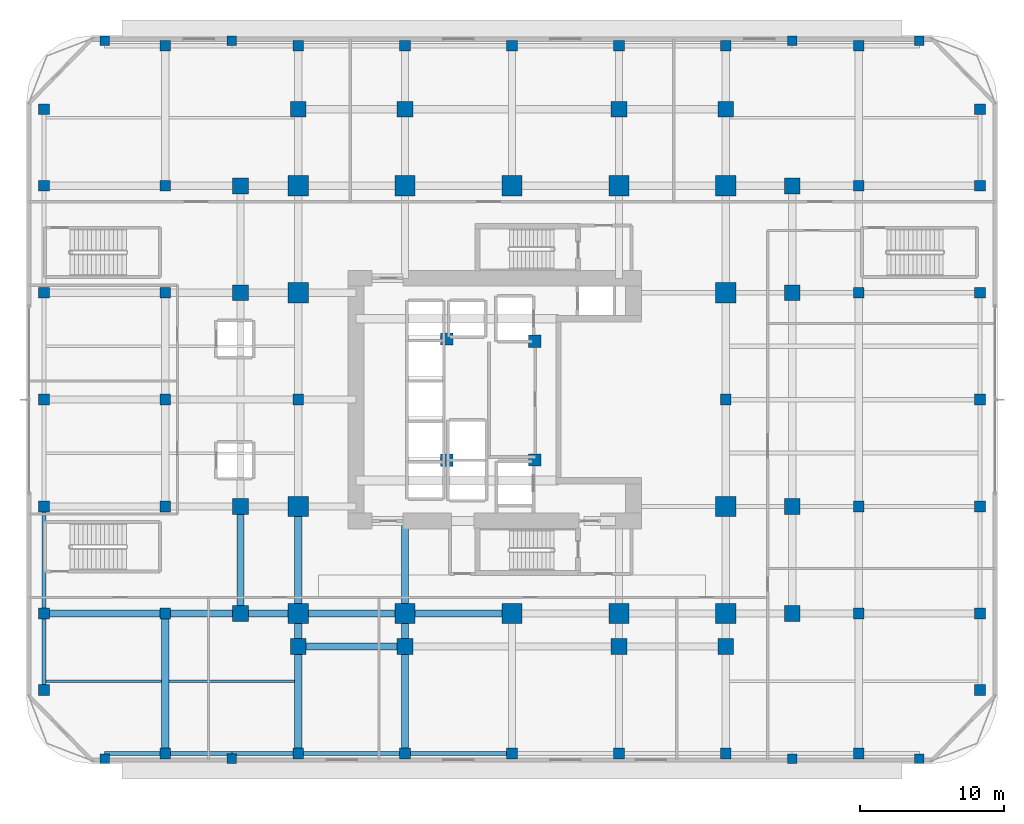
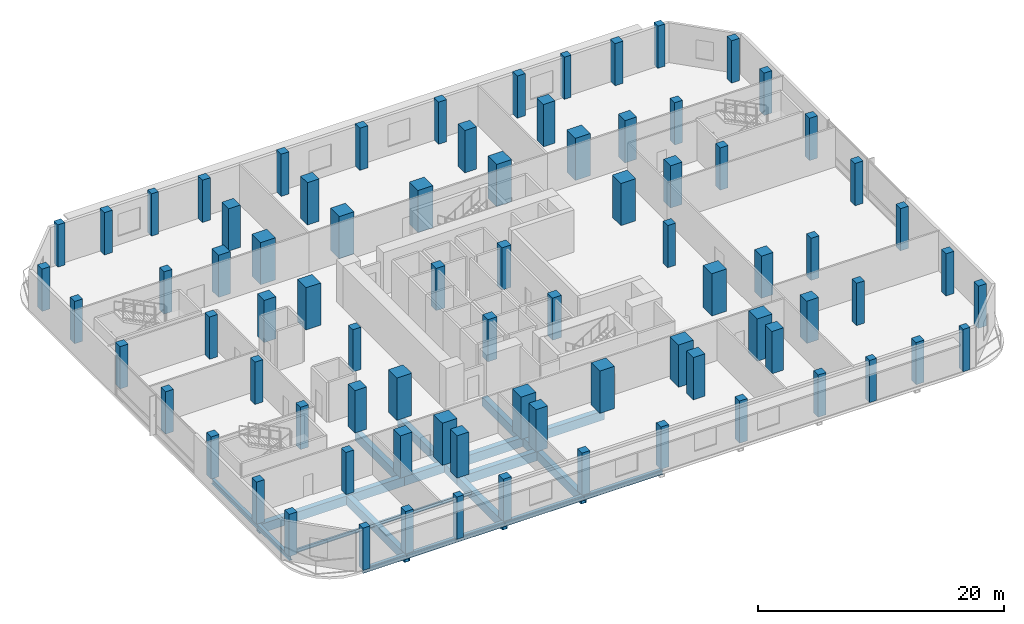
# One storey, part 1 of 19: 81 columns, 23 beams.
"""IFC4 building model written with IfcOpenShell, lengths in metres."""

import ifcopenshell
import ifcopenshell.guid

model = None  # the IFC model being written
_history = None  # IfcOwnerHistory: only IFC2X3 demands one
_inside = {}  # id of a spatial element -> (the spatial element, [elements in it])
_under = {}  # id of a project, library or spatial element -> (it, [spatial elements below it])
_declared = {}  # id of a project -> (the project, [libraries it declares])
_typed = {}  # id of a type object -> (the type object, [elements of that type])
_made_of = {}  # id of a material, layer set ... -> (it, [elements and type objects made of it])


def new_model(schema):
    """Start an empty IFC model of exactly this schema.

    Asked for "IFC4X3", IfcOpenShell would pick the latest addendum, in which some entities
    have other attributes; the version numbers below select the first issue.
    IFC2X3 requires an IfcOwnerHistory on every rooted entity: one is made here for all.
    """
    global model, _history
    if schema == "IFC4X3":
        model = ifcopenshell.file(schema_version=(4, 3, 0, 0))
    else:
        model = ifcopenshell.file(schema=schema)
    _inside.clear()
    _under.clear()
    _declared.clear()
    _typed.clear()
    _made_of.clear()
    _history = None
    if model.schema == "IFC2X3":
        org = make("IfcOrganization", Name="unknown")
        user = make(
            "IfcPersonAndOrganization",
            ThePerson=make("IfcPerson", FamilyName="unknown"),
            TheOrganization=org,
        )
        app = make(
            "IfcApplication",
            ApplicationDeveloper=org,
            Version="unknown",
            ApplicationFullName="unknown",
            ApplicationIdentifier="unknown",
        )
        _history = make(
            "IfcOwnerHistory",
            OwningUser=user,
            OwningApplication=app,
            ChangeAction="ADDED",
            CreationDate=0,
        )
    return model


def make(cls, **values):
    """One entity of the class cls with the attributes given. An attribute that is None is left unset."""
    return model.create_entity(
        cls, **{name: value for name, value in values.items() if value is not None}
    )


def rooted(cls, **values):
    """An entity with a GlobalId (a new one), such as an element, a storey or a relation."""
    return make(cls, GlobalId=ifcopenshell.guid.new(), OwnerHistory=_history, **values)


def si_unit(unit_type, name, prefix=None):
    """IfcSIUnit, for example si_unit("LENGTHUNIT", "METRE", prefix="MILLI")."""
    return make("IfcSIUnit", UnitType=unit_type, Prefix=prefix, Name=name)


def assignment(units):
    """IfcUnitAssignment: the units of a project."""
    return None if units is None else make("IfcUnitAssignment", Units=units)


def point(xyz):
    """IfcCartesianPoint."""
    return None if xyz is None else make("IfcCartesianPoint", Coordinates=xyz)


def direction(xyz):
    """IfcDirection."""
    return None if xyz is None else make("IfcDirection", DirectionRatios=xyz)


def frame(location, z_axis=None, x_axis=None):
    """IfcAxis2Placement3D, a coordinate frame: its origin and axes. An axis left out is left unset."""
    return make(
        "IfcAxis2Placement3D",
        Location=point(location),
        Axis=direction(z_axis),
        RefDirection=direction(x_axis),
    )


def frame_2d(location, x_axis=None):
    """IfcAxis2Placement2D, a coordinate frame in the plane: its origin and x axis."""
    return make(
        "IfcAxis2Placement2D", Location=point(location), RefDirection=direction(x_axis)
    )


def origin():
    """The frame at (0, 0, 0) with its axes left unset."""
    return frame((0.0, 0.0, 0.0))


def origin_2d():
    """The frame at (0, 0) in the plane with its x axis left unset."""
    return frame_2d((0.0, 0.0))


def place(relative_to, where):
    """IfcLocalPlacement: puts the frame where relative to a parent placement (None: the world)."""
    return make(
        "IfcLocalPlacement", PlacementRelTo=relative_to, RelativePlacement=where
    )


def context(
    kind, dimensions, precision=None, world=None, true_north=None, identifier=None
):
    """IfcGeometricRepresentationContext, for example the 3D "Model" context."""
    return make(
        "IfcGeometricRepresentationContext",
        ContextIdentifier=identifier,
        ContextType=kind,
        CoordinateSpaceDimension=dimensions,
        Precision=precision,
        WorldCoordinateSystem=world,
        TrueNorth=true_north,
    )


def subcontext(parent, identifier, kind, view, scale=None):
    """IfcGeometricRepresentationSubContext, for example "Body" below "Model"."""
    return make(
        "IfcGeometricRepresentationSubContext",
        ContextIdentifier=identifier,
        ContextType=kind,
        ParentContext=parent,
        TargetScale=scale,
        TargetView=view,
    )


def project(units=None, contexts=None):
    """IfcProject with its units and contexts."""
    return rooted(
        "IfcProject",
        Name="project",
        RepresentationContexts=contexts,
        UnitsInContext=assignment(units),
    )


def spatial(cls, under=None, at=None, **own):
    """A site, building, storey or space (cls), placed at a placement, below another one or the project."""
    s = rooted(cls, ObjectPlacement=at, **own)
    if under is not None:
        _under.setdefault(under.id(), (under, []))[1].append(s)
    return s


def profile(cls, at=None, kind="AREA", **sizes):
    """A parametric profile (cls). Its sizes go by their IFC names, for example OverallWidth=200.0."""
    return make(cls, ProfileType=kind, Position=at, **sizes)


def rectangle(**sizes):
    """IfcRectangleProfileDef."""
    return profile("IfcRectangleProfileDef", **sizes)


def hollow_rectangle(**sizes):
    """IfcRectangleHollowProfileDef."""
    return profile("IfcRectangleHollowProfileDef", **sizes)


def i_section(**sizes):
    """IfcIShapeProfileDef."""
    return profile("IfcIShapeProfileDef", **sizes)


def extrude(swept, where, along, depth):
    """IfcExtrudedAreaSolid: the profile swept, set in the frame where, extruded along a direction by depth."""
    return make(
        "IfcExtrudedAreaSolid",
        SweptArea=swept,
        Position=where,
        ExtrudedDirection=direction(along),
        Depth=depth,
    )


def shape(context_of_items, identifier, shape_type, items):
    """IfcShapeRepresentation: the items that make up one representation, for example the "Body"."""
    return make(
        "IfcShapeRepresentation",
        ContextOfItems=context_of_items,
        RepresentationIdentifier=identifier,
        RepresentationType=shape_type,
        Items=items,
    )


def material(Name=None, Category=None):
    """IfcMaterial."""
    return make("IfcMaterial", Name=Name, Category=Category)


def material_profile(
    of_material, cross_section, Name=None, Category=None, Priority=None
):
    """IfcMaterialProfile: a cross section and its material."""
    return make(
        "IfcMaterialProfile",
        Name=Name,
        Material=of_material,
        Profile=cross_section,
        Priority=Priority,
        Category=Category,
    )


def profile_set(profiles, Name=None, composite=None):
    """IfcMaterialProfileSet."""
    return make(
        "IfcMaterialProfileSet",
        Name=Name,
        MaterialProfiles=profiles,
        CompositeProfile=composite,
    )


def made_of(thing, what):
    """Note that an element or type object is made of a material, layer set ...; save() writes the relation."""
    if what is not None:
        _made_of.setdefault(what.id(), (what, []))[1].append(thing)
    return thing


def type_object(cls, material=None, **own):
    """A type object (cls), such as IfcWallType, which elements share."""
    return made_of(rooted(cls, **own), material)


def element(
    cls,
    number,
    at=None,
    inside=None,
    cuts=None,
    type_object=None,
    material=None,
    context=None,
    identifier="Body",
    shape_type=None,
    held_by="IfcProductDefinitionShape",
    body=None,
    shapes=None,
    **own,
):
    """One element of the class cls, such as IfcWall. Its Tag is "e" and its number.

    at: its placement. inside: the storey or other place that contains it. cuts: it is an
    opening in that element (IfcRelVoidsElement). A single representation is given by context,
    identifier, shape_type and body (its items); several are given by shapes. held_by: the class
    of the entity that holds the representations. save() writes the other relations.
    """
    e = rooted(cls, Tag="e%d" % number, ObjectPlacement=at, **own)
    if body is not None:
        shapes = [shape(context, identifier, shape_type, body)]
    if shapes is not None:
        e.Representation = make(held_by, Representations=shapes)
    if inside is not None:
        _inside.setdefault(inside.id(), (inside, []))[1].append(e)
    if cuts is not None:
        rooted(
            "IfcRelVoidsElement", RelatingBuildingElement=cuts, RelatedOpeningElement=e
        )
    if type_object is not None:
        _typed.setdefault(type_object.id(), (type_object, []))[1].append(e)
    return made_of(e, material)


def aggregate(whole, parts):
    """IfcRelAggregates: a whole, such as a stair, and the parts it consists of."""
    return rooted("IfcRelAggregates", RelatingObject=whole, RelatedObjects=parts)


def save(model, path):
    """Write the relations noted so far, then the file.

    IfcRelAggregates (storeys below a building ...), IfcRelContainedInSpatialStructure (elements
    in a storey), IfcRelDefinesByType, IfcRelAssociatesMaterial and IfcRelDeclares: one each for
    every whole, place, type object, material and project.
    """
    for whole, parts in _under.values():
        aggregate(whole, parts)
    for where, things in _inside.values():
        rooted(
            "IfcRelContainedInSpatialStructure",
            RelatedElements=things,
            RelatingStructure=where,
        )
    for kind, things in _typed.values():
        rooted("IfcRelDefinesByType", RelatedObjects=things, RelatingType=kind)
    for what, things in _made_of.values():
        rooted("IfcRelAssociatesMaterial", RelatedObjects=things, RelatingMaterial=what)
    for by, libraries in _declared.values():
        rooted("IfcRelDeclares", RelatingContext=by, RelatedDefinitions=libraries)
    model.write(path)


model = new_model("IFC4")

# Units and contexts
model_context = context("Model", 3, precision=1e-05, world=origin(), true_north=direction((0.0, 1.0)))
body_context = subcontext(model_context, "Body", "Model", "MODEL_VIEW")
ifc_project = project(units=[si_unit("LENGTHUNIT", "METRE"), si_unit("AREAUNIT", "SQUARE_METRE"), si_unit("VOLUMEUNIT", "CUBIC_METRE"), si_unit("PLANEANGLEUNIT", "RADIAN"), si_unit("MASSUNIT", "GRAM", prefix="KILO")], contexts=[model_context])

# Site, building, storey
site_placement = place(None, origin())
site = spatial("IfcSite", under=ifc_project, at=site_placement, CompositionType="ELEMENT")
building_placement = place(site_placement, origin())
building = spatial("IfcBuilding", under=site, at=building_placement, Name="Khorvyn Point Tower", CompositionType="ELEMENT")
storey_placement = place(building_placement, frame((0.0, 0.0, 13.199951171875)))
storey = spatial("IfcBuildingStorey", under=building, at=storey_placement, Name="L04", CompositionType="ELEMENT", Elevation=13.199951171875)

# Columns
ifc_material_1 = material(Name="Concrete C40/50", Category="concrete")
ifc_material_profile_1 = material_profile(ifc_material_1, rectangle(XDim=0.75, YDim=0.75, at=origin_2d()))
ifc_profile_set_1 = profile_set([ifc_material_profile_1], Name="Concrete C40/50 RC750x750")
column_type_1 = type_object("IfcColumnType", Name="Concrete C40/50 Column RC750x750", PredefinedType="COLUMN", material=ifc_profile_set_1)
for number, where, z_axis, x_axis, name in (
    (1, (-32.39990234375, -14.800048828125, 0.0), (0.0, 0.0, 1.0), (1.0, 0.0, 0.0), "PC-L04--324--148"),
    (2, (-32.39990234375, -7.39990234375, 0.0), (0.0, 0.0, 1.0), (1.0, 0.0, 0.0), "PC-L04--324--074"),
    (3, (-32.39990234375, 0.0, 0.0), (0.0, 0.0, 1.0), (1.0, 0.0, 0.0), "PC-L04--324-+000"),
    (4, (-32.39990234375, 7.39990234375, 0.0), (0.0, 0.0, 1.0), (1.0, 0.0, 0.0), "PC-L04--324-+074"),
    (5, (-32.39990234375, 14.800048828125, 0.0), (0.0, 0.0, 1.0), (1.0, 0.0, 0.0), "PC-L04--324-+148"),
    (6, (-24.0, -24.5, 0.0), (0.0, 0.0, 1.0), (1.0, 0.0, 0.0), "PC-L04--240--245"),
    (7, (-24.0, -14.800048828125, 0.0), (0.0, 0.0, 1.0), (1.0, 0.0, 0.0), "PC-L04--240--148"),
    (8, (-24.0, -7.39990234375, 0.0), (0.0, 0.0, 1.0), (1.0, 0.0, 0.0), "PC-L04--240--074"),
    (9, (-24.0, 0.0, 0.0), (0.0, 0.0, 1.0), (1.0, 0.0, 0.0), "PC-L04--240-+000"),
    (10, (-24.0, 7.39990234375, 0.0), (0.0, 0.0, 1.0), (1.0, 0.0, 0.0), "PC-L04--240-+074"),
    (11, (-24.0, 14.800048828125, 0.0), (0.0, 0.0, 1.0), (1.0, 0.0, 0.0), "PC-L04--240-+148"),
    (12, (-24.0, 24.5, 0.0), (0.0, 0.0, 1.0), (1.0, 0.0, 0.0), "PC-L04--240-+245"),
    (13, (-14.800048828125, -24.5, 0.0), (0.0, 0.0, 1.0), (1.0, 0.0, 0.0), "PC-L04--148--245"),
    (14, (-14.800048828125, 0.0, 0.0), (0.0, 0.0, 1.0), (1.0, 0.0, 0.0), "PC-L04--148-+000"),
    (15, (-14.800048828125, 24.5, 0.0), (0.0, 0.0, 1.0), (1.0, 0.0, 0.0), "PC-L04--148-+245"),
    (16, (-7.39990234375, -24.5, 0.0), (0.0, 0.0, 1.0), (1.0, 0.0, 0.0), "PC-L04--074--245"),
    (17, (-7.39990234375, 24.5, 0.0), (0.0, 0.0, 1.0), (1.0, 0.0, 0.0), "PC-L04--074-+245"),
    (18, (0.0, -24.5, 0.0), (0.0, 0.0, 1.0), (1.0, 0.0, 0.0), "PC-L04-+000--245"),
    (19, (0.0, 24.5, 0.0), (0.0, 0.0, 1.0), (1.0, 0.0, 0.0), "PC-L04-+000-+245"),
    (20, (7.39990234375, -24.5, 0.0), (0.0, 0.0, 1.0), (1.0, 0.0, 0.0), "PC-L04-+074--245"),
    (21, (7.39990234375, 24.5, 0.0), (0.0, 0.0, 1.0), (1.0, 0.0, 0.0), "PC-L04-+074-+245"),
    (22, (14.800048828125, -24.5, 0.0), (0.0, 0.0, 1.0), (1.0, 0.0, 0.0), "PC-L04-+148--245"),
    (23, (14.800048828125, 0.0, 0.0), (0.0, 0.0, 1.0), (1.0, 0.0, 0.0), "PC-L04-+148-+000"),
    (24, (14.800048828125, 24.5, 0.0), (0.0, 0.0, 1.0), (1.0, 0.0, 0.0), "PC-L04-+148-+245"),
    (25, (24.0, -24.5, 0.0), (0.0, 0.0, 1.0), (1.0, 0.0, 0.0), "PC-L04-+240--245"),
    (26, (24.0, -14.800048828125, 0.0), (0.0, 0.0, 1.0), (1.0, 0.0, 0.0), "PC-L04-+240--148"),
    (27, (24.0, -7.39990234375, 0.0), (0.0, 0.0, 1.0), (1.0, 0.0, 0.0), "PC-L04-+240--074"),
    (28, (24.0, 7.39990234375, 0.0), (0.0, 0.0, 1.0), (1.0, 0.0, 0.0), "PC-L04-+240-+074"),
    (29, (24.0, 14.800048828125, 0.0), (0.0, 0.0, 1.0), (1.0, 0.0, 0.0), "PC-L04-+240-+148"),
    (30, (24.0, 24.5, 0.0), (0.0, 0.0, 1.0), (1.0, 0.0, 0.0), "PC-L04-+240-+245"),
    (31, (32.39990234375, -14.800048828125, 0.0), (0.0, 0.0, 1.0), (1.0, 0.0, 0.0), "PC-L04-+324--148"),
    (32, (32.39990234375, -7.39990234375, 0.0), (0.0, 0.0, 1.0), (1.0, 0.0, 0.0), "PC-L04-+324--074"),
    (33, (32.39990234375, 0.0, 0.0), (0.0, 0.0, 1.0), (1.0, 0.0, 0.0), "PC-L04-+324-+000"),
    (34, (32.39990234375, 7.39990234375, 0.0), (0.0, 0.0, 1.0), (1.0, 0.0, 0.0), "PC-L04-+324-+074"),
    (35, (32.39990234375, 14.800048828125, 0.0), (0.0, 0.0, 1.0), (1.0, 0.0, 0.0), "PC-L04-+324-+148"),
    (36, (-32.39990234375, -20.10009765625, 0.0), (0.0, 0.0, 1.0), (1.0, 0.0, 0.0), "PCR-L04--32--20"),
    (37, (-32.39990234375, 20.10009765625, 0.0), (0.0, 0.0, 1.0), (1.0, 0.0, 0.0), "PCR-L04--32-+20"),
    (38, (32.39990234375, -20.10009765625, 0.0), (0.0, 0.0, 1.0), (1.0, 0.0, 0.0), "PCR-L04-+32--20"),
    (39, (32.39990234375, 20.10009765625, 0.0), (0.0, 0.0, 1.0), (1.0, 0.0, 0.0), "PCR-L04-+32-+20"),
):
    element("IfcColumn", number, at=place(storey_placement, frame(where, z_axis=z_axis, x_axis=x_axis)), inside=storey, type_object=column_type_1, Name=name, PredefinedType="COLUMN", context=body_context, shape_type="SweptSolid", body=[
        extrude(rectangle(XDim=0.75, YDim=0.75, at=origin_2d()), origin(), (0.0, 0.0, 1.0), 4.199951171875),
    ])
ifc_material_profile_2 = material_profile(ifc_material_1, rectangle(XDim=0.85009765625, YDim=0.85009765625, at=origin_2d()))
ifc_profile_set_2 = profile_set([ifc_material_profile_2], Name="Concrete C40/50 RC850x850")
column_type_2 = type_object("IfcColumnType", Name="Concrete C40/50 Column RC850x850", PredefinedType="COLUMN", material=ifc_profile_set_2)
for number, where, z_axis, x_axis, name in (
    (40, (-4.52001953125, -4.199951171875, 0.0), (0.0, 0.0, 1.0), (1.0, 0.0, 0.0), "L04 Crown Core Spine Column 1"),
    (41, (1.580078125, -4.179931640625, 0.0), (0.0, 0.0, 1.0), (1.0, 0.0, 0.0), "L04 Crown Core Spine Column 2"),
    (42, (1.580078125, 4.050048828125, 0.0), (0.0, 0.0, 1.0), (1.0, 0.0, 0.0), "L04 Crown Core Spine Column 3"),
    (43, (-4.52001953125, 4.199951171875, 0.0), (0.0, 0.0, 1.0), (1.0, 0.0, 0.0), "L04 Crown Core Spine Column 4"),
):
    element("IfcColumn", number, at=place(storey_placement, frame(where, z_axis=z_axis, x_axis=x_axis)), inside=storey, type_object=column_type_2, Name=name, PredefinedType="COLUMN", context=body_context, shape_type="SweptSolid", body=[
        extrude(rectangle(XDim=0.85009765625, YDim=0.85009765625, at=origin_2d()), origin(), (0.0, 0.0, 1.0), 4.199951171875),
    ])
ifc_material_profile_3 = material_profile(ifc_material_1, rectangle(XDim=0.64990234375, YDim=0.64990234375, at=origin_2d()))
ifc_profile_set_3 = profile_set([ifc_material_profile_3], Name="Concrete C40/50 RC650x650")
column_type_3 = type_object("IfcColumnType", Name="Concrete C40/50 Pilaster RC650x650", PredefinedType="PILASTER", material=ifc_profile_set_3)
for number, where, z_axis, x_axis, name in (
    (44, (-28.199951171875, -24.85009765625, 0.0), (0.0, 0.0, 1.0), (1.0, 0.0, 0.0), "L04 Colonnade Pilaster S"),
    (45, (-28.199951171875, 24.85009765625, 0.0), (0.0, 0.0, 1.0), (1.0, 0.0, 0.0), "L04 Colonnade Pilaster N"),
    (46, (-19.39990234375, -24.85009765625, 0.0), (0.0, 0.0, 1.0), (1.0, 0.0, 0.0), "L04 Colonnade Pilaster S"),
    (47, (-19.39990234375, 24.85009765625, 0.0), (0.0, 0.0, 1.0), (1.0, 0.0, 0.0), "L04 Colonnade Pilaster N"),
    (48, (19.39990234375, -24.85009765625, 0.0), (0.0, 0.0, 1.0), (1.0, 0.0, 0.0), "L04 Colonnade Pilaster S"),
    (49, (19.39990234375, 24.85009765625, 0.0), (0.0, 0.0, 1.0), (1.0, 0.0, 0.0), "L04 Colonnade Pilaster N"),
    (50, (28.199951171875, -24.85009765625, 0.0), (0.0, 0.0, 1.0), (1.0, 0.0, 0.0), "L04 Colonnade Pilaster S"),
    (51, (28.199951171875, 24.85009765625, 0.0), (0.0, 0.0, 1.0), (1.0, 0.0, 0.0), "L04 Colonnade Pilaster N"),
):
    element("IfcColumn", number, at=place(storey_placement, frame(where, z_axis=z_axis, x_axis=x_axis)), inside=storey, type_object=column_type_3, Name=name, PredefinedType="PILASTER", context=body_context, shape_type="SweptSolid", body=[
        extrude(rectangle(XDim=0.64990234375, YDim=0.64990234375, at=origin_2d()), origin(), (0.0, 0.0, 1.0), 4.199951171875),
    ])
ifc_material_2 = material(Name="Concrete C45/55", Category="concrete")
ifc_material_profile_4 = material_profile(ifc_material_2, rectangle(XDim=1.10009765625, YDim=1.10009765625, at=origin_2d()))
ifc_profile_set_4 = profile_set([ifc_material_profile_4], Name="Concrete C45/55 RC1100x1100")
column_type_4 = type_object("IfcColumnType", Name="Concrete C45/55 Column RC1100x1100", PredefinedType="COLUMN", material=ifc_profile_set_4)
for number, where, z_axis, x_axis, name in (
    (52, (-18.800048828125, -14.800048828125, 0.0), (0.0, 0.0, 1.0), (1.0, 0.0, 0.0), "L04 Intermediate Column ICW--14"),
    (53, (-18.800048828125, -7.39990234375, 0.0), (0.0, 0.0, 1.0), (1.0, 0.0, 0.0), "L04 Intermediate Column ICW--7"),
    (54, (-18.800048828125, 7.39990234375, 0.0), (0.0, 0.0, 1.0), (1.0, 0.0, 0.0), "L04 Intermediate Column ICW-7"),
    (55, (-18.800048828125, 14.800048828125, 0.0), (0.0, 0.0, 1.0), (1.0, 0.0, 0.0), "L04 Intermediate Column ICW-14"),
    (56, (19.39990234375, -14.800048828125, 0.0), (0.0, 0.0, 1.0), (1.0, 0.0, 0.0), "L04 Intermediate Column ICE--14"),
    (57, (19.39990234375, -7.39990234375, 0.0), (0.0, 0.0, 1.0), (1.0, 0.0, 0.0), "L04 Intermediate Column ICE--7"),
    (58, (19.39990234375, 7.39990234375, 0.0), (0.0, 0.0, 1.0), (1.0, 0.0, 0.0), "L04 Intermediate Column ICE-7"),
    (59, (19.39990234375, 14.800048828125, 0.0), (0.0, 0.0, 1.0), (1.0, 0.0, 0.0), "L04 Intermediate Column ICE-14"),
    (60, (-14.800048828125, -17.10009765625, 0.0), (0.0, 0.0, 1.0), (1.0, 0.0, 0.0), "L04 Intermediate Column ICS--14"),
    (61, (-7.39990234375, -17.10009765625, 0.0), (0.0, 0.0, 1.0), (1.0, 0.0, 0.0), "L04 Intermediate Column ICS--7"),
    (62, (7.39990234375, -17.10009765625, 0.0), (0.0, 0.0, 1.0), (1.0, 0.0, 0.0), "L04 Intermediate Column ICS-7"),
    (63, (14.800048828125, -17.10009765625, 0.0), (0.0, 0.0, 1.0), (1.0, 0.0, 0.0), "L04 Intermediate Column ICS-14"),
    (64, (-14.800048828125, 20.10009765625, 0.0), (0.0, 0.0, 1.0), (1.0, 0.0, 0.0), "L04 Intermediate Column ICN--14"),
    (65, (-7.39990234375, 20.10009765625, 0.0), (0.0, 0.0, 1.0), (1.0, 0.0, 0.0), "L04 Intermediate Column ICN--7"),
    (66, (7.39990234375, 20.10009765625, 0.0), (0.0, 0.0, 1.0), (1.0, 0.0, 0.0), "L04 Intermediate Column ICN-7"),
    (67, (14.800048828125, 20.10009765625, 0.0), (0.0, 0.0, 1.0), (1.0, 0.0, 0.0), "L04 Intermediate Column ICN-14"),
):
    element("IfcColumn", number, at=place(storey_placement, frame(where, z_axis=z_axis, x_axis=x_axis)), inside=storey, type_object=column_type_4, Name=name, PredefinedType="COLUMN", context=body_context, shape_type="SweptSolid", body=[
        extrude(rectangle(XDim=1.10009765625, YDim=1.10009765625, at=origin_2d()), origin(), (0.0, 0.0, 1.0), 4.199951171875),
    ])
ifc_material_3 = material(Name="Concrete C50/60", Category="concrete")
ifc_material_profile_5 = material_profile(ifc_material_3, rectangle(XDim=1.39990234375, YDim=1.39990234375, at=origin_2d()))
ifc_profile_set_5 = profile_set([ifc_material_profile_5], Name="Concrete C50/60 RC1400x1400")
column_type_5 = type_object("IfcColumnType", Name="Concrete C50/60 Column RC1400x1400", PredefinedType="COLUMN", material=ifc_profile_set_5)
for number, where, z_axis, x_axis, name in (
    (68, (-14.800048828125, -14.800048828125, 0.0), (0.0, 0.0, 1.0), (1.0, 0.0, 0.0), "L04 Mega-Column MC-01"),
    (69, (-7.39990234375, -14.800048828125, 0.0), (0.0, 0.0, 1.0), (1.0, 0.0, 0.0), "L04 Mega-Column MC-02"),
    (70, (0.0, -14.800048828125, 0.0), (0.0, 0.0, 1.0), (1.0, 0.0, 0.0), "L04 Mega-Column MC-03"),
    (71, (7.39990234375, -14.800048828125, 0.0), (0.0, 0.0, 1.0), (1.0, 0.0, 0.0), "L04 Mega-Column MC-04"),
    (72, (14.800048828125, -14.800048828125, 0.0), (0.0, 0.0, 1.0), (1.0, 0.0, 0.0), "L04 Mega-Column MC-05"),
    (73, (-14.800048828125, 14.800048828125, 0.0), (0.0, 0.0, 1.0), (1.0, 0.0, 0.0), "L04 Mega-Column MC-06"),
    (74, (-7.39990234375, 14.800048828125, 0.0), (0.0, 0.0, 1.0), (1.0, 0.0, 0.0), "L04 Mega-Column MC-07"),
    (75, (0.0, 14.800048828125, 0.0), (0.0, 0.0, 1.0), (1.0, 0.0, 0.0), "L04 Mega-Column MC-08"),
    (76, (7.39990234375, 14.800048828125, 0.0), (0.0, 0.0, 1.0), (1.0, 0.0, 0.0), "L04 Mega-Column MC-09"),
    (77, (14.800048828125, 14.800048828125, 0.0), (0.0, 0.0, 1.0), (1.0, 0.0, 0.0), "L04 Mega-Column MC-10"),
    (78, (-14.800048828125, -7.39990234375, 0.0), (0.0, 0.0, 1.0), (1.0, 0.0, 0.0), "L04 Mega-Column MC-11"),
    (79, (-14.800048828125, 7.39990234375, 0.0), (0.0, 0.0, 1.0), (1.0, 0.0, 0.0), "L04 Mega-Column MC-12"),
    (80, (14.800048828125, -7.39990234375, 0.0), (0.0, 0.0, 1.0), (1.0, 0.0, 0.0), "L04 Mega-Column MC-13"),
    (81, (14.800048828125, 7.39990234375, 0.0), (0.0, 0.0, 1.0), (1.0, 0.0, 0.0), "L04 Mega-Column MC-14"),
):
    element("IfcColumn", number, at=place(storey_placement, frame(where, z_axis=z_axis, x_axis=x_axis)), inside=storey, type_object=column_type_5, Name=name, PredefinedType="COLUMN", context=body_context, shape_type="SweptSolid", body=[
        extrude(rectangle(XDim=1.39990234375, YDim=1.39990234375, at=origin_2d()), origin(), (0.0, 0.0, 1.0), 4.199951171875),
    ])

# Beams
ifc_material_4 = material(Name="Steel S355", Category="steel")
ifc_material_profile_6 = material_profile(ifc_material_4, i_section(OverallWidth=0.175048828125, OverallDepth=0.35009765625, WebThickness=0.007080078125, FlangeThickness=0.010986328125, at=origin_2d()))
ifc_profile_set_6 = profile_set([ifc_material_profile_6], Name="Steel S355 H350x175x7x11")
beam_type_1 = type_object("IfcBeamType", Name="Steel S355 Joist H350x175x7x11", PredefinedType="JOIST", material=ifc_profile_set_6)
beam_1_placement = place(storey_placement, frame((-32.25, -19.5, -0.4150390625), z_axis=(1.0, 0.0, 0.0), x_axis=(0.0, 1.0, 0.0)))
element("IfcBeam", 82, at=beam_1_placement, inside=storey, type_object=beam_type_1, Name="Beam", PredefinedType="JOIST", context=body_context, shape_type="SweptSolid", body=[
    extrude(i_section(OverallWidth=0.175048828125, OverallDepth=0.35009765625, WebThickness=0.007080078125, FlangeThickness=0.010986328125, at=origin_2d()), origin(), (0.0, 0.0, 1.0), 8.0),
])
beam_2_placement = place(storey_placement, frame((-23.75, -19.5, -0.4150390625), z_axis=(1.0, 0.0, 0.0), x_axis=(0.0, 1.0, 0.0)))
element("IfcBeam", 83, at=beam_2_placement, inside=storey, type_object=beam_type_1, Name="Beam", PredefinedType="JOIST", context=body_context, shape_type="SweptSolid", body=[
    extrude(i_section(OverallWidth=0.175048828125, OverallDepth=0.35009765625, WebThickness=0.007080078125, FlangeThickness=0.010986328125, at=origin_2d()), origin(), (0.0, 0.0, 1.0), 8.699951171875),
])
ifc_material_profile_7 = material_profile(ifc_material_4, i_section(OverallWidth=0.300048828125, OverallDepth=0.488037109375, WebThickness=0.010986328125, FlangeThickness=0.01806640625, at=origin_2d()))
ifc_profile_set_7 = profile_set([ifc_material_profile_7], Name="Steel S355 H488x300x11x18")
beam_type_2 = type_object("IfcBeamType", Name="Steel S355 Spandrel H488x300x11x18", PredefinedType="SPANDREL", material=ifc_profile_set_7)
beam_3_placement = place(storey_placement, frame((-28.199951171875, -24.5, -0.48388671875), z_axis=(1.0, 0.0, 0.0), x_axis=(0.0, 1.0, 0.0)))
element("IfcBeam", 84, at=beam_3_placement, inside=storey, type_object=beam_type_2, Name="Beam", PredefinedType="SPANDREL", context=body_context, shape_type="SweptSolid", body=[
    extrude(i_section(OverallWidth=0.300048828125, OverallDepth=0.488037109375, WebThickness=0.010986328125, FlangeThickness=0.01806640625, at=origin_2d()), origin(), (0.0, 0.0, 1.0), 4.199951171875),
])
beam_4_placement = place(storey_placement, frame((-24.0, -24.5, -0.48388671875), z_axis=(1.0, 0.0, 0.0), x_axis=(0.0, 1.0, 0.0)))
element("IfcBeam", 85, at=beam_4_placement, inside=storey, type_object=beam_type_2, Name="Beam", PredefinedType="SPANDREL", context=body_context, shape_type="SweptSolid", body=[
    extrude(i_section(OverallWidth=0.300048828125, OverallDepth=0.488037109375, WebThickness=0.010986328125, FlangeThickness=0.01806640625, at=origin_2d()), origin(), (0.0, 0.0, 1.0), 4.60009765625),
])
beam_5_placement = place(storey_placement, frame((-19.39990234375, -24.5, -0.48388671875), z_axis=(1.0, 0.0, 0.0), x_axis=(0.0, 1.0, 0.0)))
element("IfcBeam", 86, at=beam_5_placement, inside=storey, type_object=beam_type_2, Name="Beam", PredefinedType="SPANDREL", context=body_context, shape_type="SweptSolid", body=[
    extrude(i_section(OverallWidth=0.300048828125, OverallDepth=0.488037109375, WebThickness=0.010986328125, FlangeThickness=0.01806640625, at=origin_2d()), origin(), (0.0, 0.0, 1.0), 4.599853515625),
])
beam_6_placement = place(storey_placement, frame((-14.800048828125, -24.5, -0.48388671875), z_axis=(1.0, 0.0, 0.0), x_axis=(0.0, 1.0, 0.0)))
element("IfcBeam", 87, at=beam_6_placement, inside=storey, type_object=beam_type_2, Name="Beam", PredefinedType="SPANDREL", context=body_context, shape_type="SweptSolid", body=[
    extrude(i_section(OverallWidth=0.300048828125, OverallDepth=0.488037109375, WebThickness=0.010986328125, FlangeThickness=0.01806640625, at=origin_2d()), origin(), (0.0, 0.0, 1.0), 7.400146484375),
])
beam_7_placement = place(storey_placement, frame((-7.39990234375, -24.5, -0.48388671875), z_axis=(1.0, 0.0, 0.0), x_axis=(0.0, 1.0, 0.0)))
element("IfcBeam", 88, at=beam_7_placement, inside=storey, type_object=beam_type_2, Name="Beam", PredefinedType="SPANDREL", context=body_context, shape_type="SweptSolid", body=[
    extrude(i_section(OverallWidth=0.300048828125, OverallDepth=0.488037109375, WebThickness=0.010986328125, FlangeThickness=0.01806640625, at=origin_2d()), origin(), (0.0, 0.0, 1.0), 7.39990234375),
])
beam_8_placement = place(storey_placement, frame((-32.39990234375, -20.10009765625, -0.48388671875), z_axis=(0.0, 1.0, 0.0), x_axis=(-1.0, 0.0, 0.0)))
element("IfcBeam", 89, at=beam_8_placement, inside=storey, type_object=beam_type_2, Name="Beam", PredefinedType="SPANDREL", context=body_context, shape_type="SweptSolid", body=[
    extrude(i_section(OverallWidth=0.300048828125, OverallDepth=0.488037109375, WebThickness=0.010986328125, FlangeThickness=0.01806640625, at=origin_2d()), origin(), (0.0, 0.0, 1.0), 5.300048828125),
])
beam_9_placement = place(storey_placement, frame((-32.39990234375, -14.800048828125, -0.48388671875), z_axis=(0.0, 1.0, 0.0), x_axis=(-1.0, 0.0, 0.0)))
element("IfcBeam", 90, at=beam_9_placement, inside=storey, type_object=beam_type_2, Name="Beam", PredefinedType="SPANDREL", context=body_context, shape_type="SweptSolid", body=[
    extrude(i_section(OverallWidth=0.300048828125, OverallDepth=0.488037109375, WebThickness=0.010986328125, FlangeThickness=0.01806640625, at=origin_2d()), origin(), (0.0, 0.0, 1.0), 7.400146484375),
])
ifc_material_5 = material(Name="Steel S450", Category="steel")
ifc_material_profile_8 = material_profile(ifc_material_5, hollow_rectangle(XDim=0.5, YDim=0.89990234375, WallThickness=0.0400390625, at=origin_2d()))
ifc_profile_set_8 = profile_set([ifc_material_profile_8], Name="Steel S450 BOX900x500x40")
beam_type_3 = type_object("IfcBeamType", Name="Steel S450 Beam BOX900x500x40", PredefinedType="BEAM", material=ifc_profile_set_8)
beam_10_placement = place(storey_placement, frame((-32.39990234375, -14.800048828125, -0.68994140625), z_axis=(1.0, 0.0, 0.0), x_axis=(0.0, 1.0, 0.0)))
element("IfcBeam", 91, at=beam_10_placement, inside=storey, type_object=beam_type_3, Name="Beam", PredefinedType="BEAM", context=body_context, shape_type="SweptSolid", body=[
    extrude(hollow_rectangle(XDim=0.5, YDim=0.89990234375, WallThickness=0.0400390625, at=origin_2d()), origin(), (0.0, 0.0, 1.0), 8.39990234375),
])
beam_11_placement = place(storey_placement, frame((-24.0, -14.800048828125, -0.68994140625), z_axis=(1.0, 0.0, 0.0), x_axis=(0.0, 1.0, 0.0)))
element("IfcBeam", 92, at=beam_11_placement, inside=storey, type_object=beam_type_3, Name="Beam", PredefinedType="BEAM", context=body_context, shape_type="SweptSolid", body=[
    extrude(hollow_rectangle(XDim=0.5, YDim=0.89990234375, WallThickness=0.0400390625, at=origin_2d()), origin(), (0.0, 0.0, 1.0), 5.199951171875),
])
beam_12_placement = place(storey_placement, frame((-18.800048828125, -14.800048828125, -0.68994140625), z_axis=(1.0, 0.0, 0.0), x_axis=(0.0, 1.0, 0.0)))
element("IfcBeam", 93, at=beam_12_placement, inside=storey, type_object=beam_type_3, Name="Beam", PredefinedType="BEAM", context=body_context, shape_type="SweptSolid", body=[
    extrude(hollow_rectangle(XDim=0.5, YDim=0.89990234375, WallThickness=0.0400390625, at=origin_2d()), origin(), (0.0, 0.0, 1.0), 4.0),
])
beam_13_placement = place(storey_placement, frame((-14.800048828125, -14.800048828125, -0.68994140625), z_axis=(1.0, 0.0, 0.0), x_axis=(0.0, 1.0, 0.0)))
element("IfcBeam", 94, at=beam_13_placement, inside=storey, type_object=beam_type_3, Name="Beam", PredefinedType="BEAM", context=body_context, shape_type="SweptSolid", body=[
    extrude(hollow_rectangle(XDim=0.5, YDim=0.89990234375, WallThickness=0.0400390625, at=origin_2d()), origin(), (0.0, 0.0, 1.0), 7.400146484375),
])
beam_14_placement = place(storey_placement, frame((-7.39990234375, -14.800048828125, -0.68994140625), z_axis=(1.0, 0.0, 0.0), x_axis=(0.0, 1.0, 0.0)))
element("IfcBeam", 95, at=beam_14_placement, inside=storey, type_object=beam_type_3, Name="Beam", PredefinedType="BEAM", context=body_context, shape_type="SweptSolid", body=[
    extrude(hollow_rectangle(XDim=0.5, YDim=0.89990234375, WallThickness=0.0400390625, at=origin_2d()), origin(), (0.0, 0.0, 1.0), 7.39990234375),
])
beam_15_placement = place(storey_placement, frame((-14.800048828125, -17.10009765625, -0.68994140625), z_axis=(1.0, 0.0, 0.0), x_axis=(0.0, 1.0, 0.0)))
element("IfcBeam", 96, at=beam_15_placement, inside=storey, type_object=beam_type_3, Name="Beam", PredefinedType="BEAM", context=body_context, shape_type="SweptSolid", body=[
    extrude(hollow_rectangle(XDim=0.5, YDim=0.89990234375, WallThickness=0.0400390625, at=origin_2d()), origin(), (0.0, 0.0, 1.0), 7.400146484375),
])
beam_16_placement = place(storey_placement, frame((-24.0, -24.5, -0.68994140625), z_axis=(0.0, 1.0, 0.0), x_axis=(-1.0, 0.0, 0.0)))
element("IfcBeam", 97, at=beam_16_placement, inside=storey, type_object=beam_type_3, Name="Beam", PredefinedType="BEAM", context=body_context, shape_type="SweptSolid", body=[
    extrude(hollow_rectangle(XDim=0.5, YDim=0.89990234375, WallThickness=0.0400390625, at=origin_2d()), origin(), (0.0, 0.0, 1.0), 9.699951171875),
])
beam_17_placement = place(storey_placement, frame((-14.800048828125, -24.5, -0.68994140625), z_axis=(0.0, 1.0, 0.0), x_axis=(-1.0, 0.0, 0.0)))
element("IfcBeam", 98, at=beam_17_placement, inside=storey, type_object=beam_type_3, Name="Beam", PredefinedType="BEAM", context=body_context, shape_type="SweptSolid", body=[
    extrude(hollow_rectangle(XDim=0.5, YDim=0.89990234375, WallThickness=0.0400390625, at=origin_2d()), origin(), (0.0, 0.0, 1.0), 7.39990234375),
])
beam_18_placement = place(storey_placement, frame((-14.800048828125, -17.10009765625, -0.68994140625), z_axis=(0.0, 1.0, 0.0), x_axis=(-1.0, 0.0, 0.0)))
element("IfcBeam", 99, at=beam_18_placement, inside=storey, type_object=beam_type_3, Name="Beam", PredefinedType="BEAM", context=body_context, shape_type="SweptSolid", body=[
    extrude(hollow_rectangle(XDim=0.5, YDim=0.89990234375, WallThickness=0.0400390625, at=origin_2d()), origin(), (0.0, 0.0, 1.0), 2.300048828125),
])
beam_19_placement = place(storey_placement, frame((-14.800048828125, -14.800048828125, -0.68994140625), z_axis=(0.0, 1.0, 0.0), x_axis=(-1.0, 0.0, 0.0)))
element("IfcBeam", 100, at=beam_19_placement, inside=storey, type_object=beam_type_3, Name="Beam", PredefinedType="BEAM", context=body_context, shape_type="SweptSolid", body=[
    extrude(hollow_rectangle(XDim=0.5, YDim=0.89990234375, WallThickness=0.0400390625, at=origin_2d()), origin(), (0.0, 0.0, 1.0), 7.400146484375),
])
beam_20_placement = place(storey_placement, frame((-7.39990234375, -24.5, -0.68994140625), z_axis=(0.0, 1.0, 0.0), x_axis=(-1.0, 0.0, 0.0)))
element("IfcBeam", 101, at=beam_20_placement, inside=storey, type_object=beam_type_3, Name="Beam", PredefinedType="BEAM", context=body_context, shape_type="SweptSolid", body=[
    extrude(hollow_rectangle(XDim=0.5, YDim=0.89990234375, WallThickness=0.0400390625, at=origin_2d()), origin(), (0.0, 0.0, 1.0), 7.39990234375),
])
beam_21_placement = place(storey_placement, frame((-7.39990234375, -17.10009765625, -0.68994140625), z_axis=(0.0, 1.0, 0.0), x_axis=(-1.0, 0.0, 0.0)))
element("IfcBeam", 102, at=beam_21_placement, inside=storey, type_object=beam_type_3, Name="Beam", PredefinedType="BEAM", context=body_context, shape_type="SweptSolid", body=[
    extrude(hollow_rectangle(XDim=0.5, YDim=0.89990234375, WallThickness=0.0400390625, at=origin_2d()), origin(), (0.0, 0.0, 1.0), 2.300048828125),
])
beam_22_placement = place(storey_placement, frame((-7.39990234375, -14.800048828125, -0.68994140625), z_axis=(0.0, 1.0, 0.0), x_axis=(-1.0, 0.0, 0.0)))
element("IfcBeam", 103, at=beam_22_placement, inside=storey, type_object=beam_type_3, Name="Beam", PredefinedType="BEAM", context=body_context, shape_type="SweptSolid", body=[
    extrude(hollow_rectangle(XDim=0.5, YDim=0.89990234375, WallThickness=0.0400390625, at=origin_2d()), origin(), (0.0, 0.0, 1.0), 6.400146484375),
])
beam_23_placement = place(storey_placement, frame((-18.800048828125, -14.800048828125, -0.68994140625), z_axis=(0.0, 1.0, 0.0), x_axis=(-1.0, 0.0, 0.0)))
element("IfcBeam", 104, at=beam_23_placement, inside=storey, type_object=beam_type_3, Name="Beam", PredefinedType="BEAM", context=body_context, shape_type="SweptSolid", body=[
    extrude(hollow_rectangle(XDim=0.5, YDim=0.89990234375, WallThickness=0.0400390625, at=origin_2d()), origin(), (0.0, 0.0, 1.0), 7.400146484375),
])

save(model, "model.ifc")
